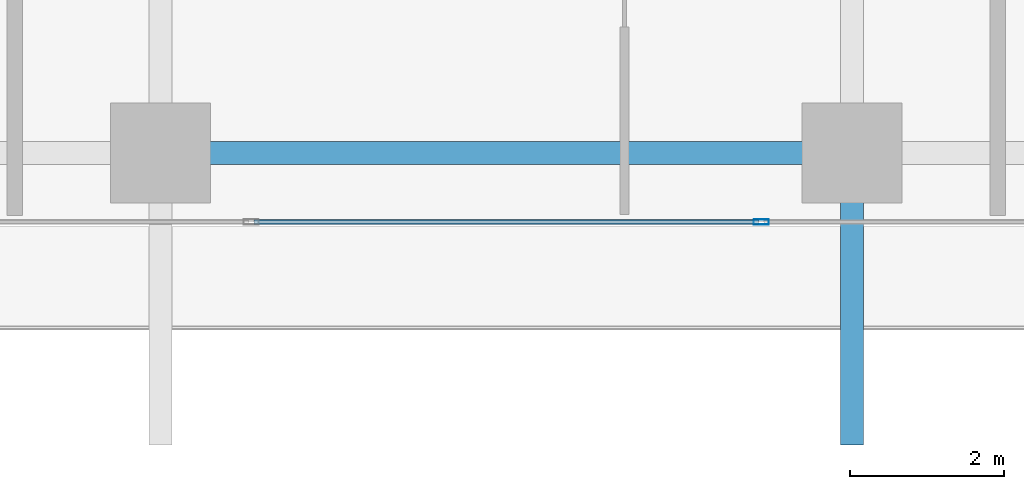
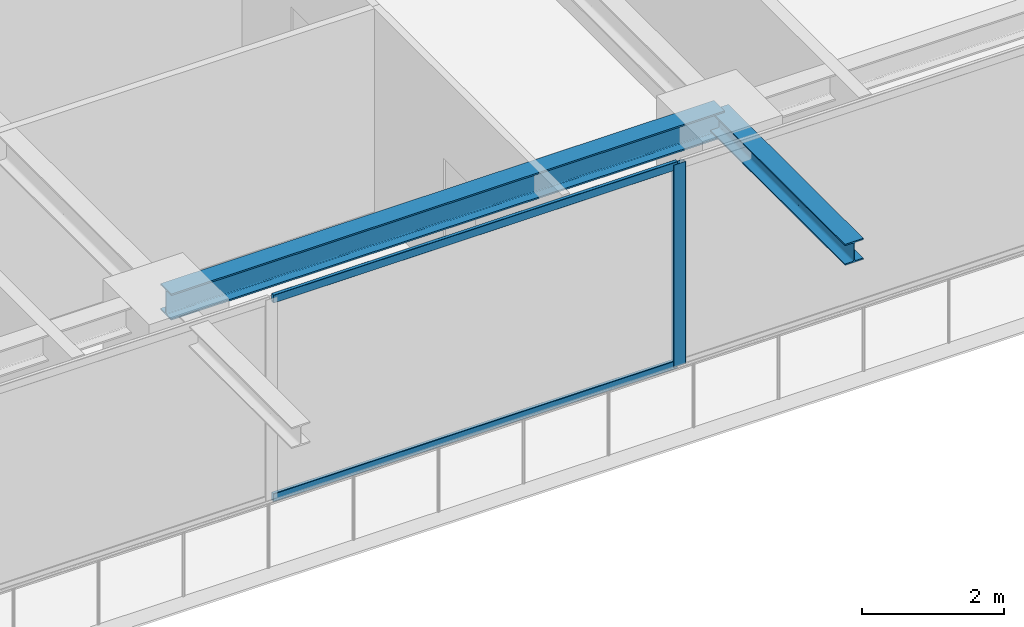
# One storey, part 6 of 37: 3 members, 2 beams, 1 element without a shape of its own.
"""IFC4 building model written with IfcOpenShell, lengths in metres."""

from ifc_helpers import new_model, si_unit, direction, frame, origin, origin_2d, place, context, subcontext, project, spatial, hollow_rectangle, i_section, extrude, source, transform, mapped, material, layer, layer_set, material_profile, profile_set, type_object, element, aggregate, save


model = new_model("IFC4")

# Units and contexts
model_context = context("Model", 3, precision=1e-05, world=origin(), true_north=direction((0.0, 1.0)))
body_context = subcontext(model_context, "Body", "Model", "MODEL_VIEW")
ifc_project = project(units=[si_unit("LENGTHUNIT", "METRE"), si_unit("AREAUNIT", "SQUARE_METRE"), si_unit("VOLUMEUNIT", "CUBIC_METRE"), si_unit("PLANEANGLEUNIT", "RADIAN"), si_unit("MASSUNIT", "GRAM", prefix="KILO")], contexts=[model_context])

# Site, building, storey
site_placement = place(None, origin())
site = spatial("IfcSite", under=ifc_project, at=site_placement, CompositionType="ELEMENT")
building_placement = place(site_placement, origin())
building = spatial("IfcBuilding", under=site, at=building_placement, Name="Serunith Strait Residences", CompositionType="ELEMENT")
storey_placement = place(building_placement, frame((0.0, 0.0, 138.89990234375)))
storey = spatial("IfcBuildingStorey", under=building, at=storey_placement, Name="L34", CompositionType="ELEMENT", Elevation=138.89990234375)

# Beams
ifc_material_1 = material(Name="Steel S355J2", Category="steel")
ifc_material_profile_1 = material_profile(ifc_material_1, i_section(OverallWidth=0.300048828125, OverallDepth=0.449951171875, WebThickness=0.013916015625, FlangeThickness=0.02587890625, FilletRadius=0.027099609375, at=origin_2d()), Name="HEB 450")
ifc_profile_set_1 = profile_set([ifc_material_profile_1], Name="Steel S355J2")
beam_type_1 = type_object("IfcBeamType", Name="BM-HEB450", PredefinedType="BEAM", material=ifc_profile_set_1)
shared_shape_1 = source(origin(), body_context, "Body", "SweptSolid", [
    extrude(i_section(OverallWidth=0.300048828125, OverallDepth=0.449951171875, WebThickness=0.013916015625, FlangeThickness=0.02587890625, FilletRadius=0.027099609375, at=origin_2d()), origin(), (0.0, 0.0, 1.0), 9.0),
])
beam_1_placement = place(storey_placement, frame((27.89990234375, 2.300048828125, 3.26220703125), z_axis=(1.0, 0.0, 0.0), x_axis=(0.0, 1.0, 0.0)))
element("IfcBeam", 1, at=beam_1_placement, inside=storey, type_object=beam_type_1, Name="L34 Perimeter Ring Beam 02", PredefinedType="BEAM", context=body_context, shape_type="MappedRepresentation", body=[
    mapped(shared_shape_1, transform((0.0, 0.0, 0.0), scale=1.0)),
])
ifc_material_profile_2 = material_profile(ifc_material_1, i_section(OverallWidth=0.300048828125, OverallDepth=0.360107421875, WebThickness=0.012451171875, FlangeThickness=0.0224609375, FilletRadius=0.027099609375, at=origin_2d()), Name="HEB 360")
ifc_profile_set_2 = profile_set([ifc_material_profile_2], Name="Steel S355J2")
beam_type_2 = type_object("IfcBeamType", Name="BM-HEB360", PredefinedType="BEAM", material=ifc_profile_set_2)
shared_shape_2 = source(origin(), body_context, "Body", "SweptSolid", [
    extrude(i_section(OverallWidth=0.300048828125, OverallDepth=0.360107421875, WebThickness=0.012451171875, FlangeThickness=0.0224609375, FilletRadius=0.027099609375, at=origin_2d()), origin(), (0.0, 0.0, 1.0), 3.800048828125),
])
beam_2_placement = place(storey_placement, frame((36.89990234375, 2.300048828125, 3.277099609375), z_axis=(0.0, -1.0, 0.0), x_axis=(1.0, 0.0, 0.0)))
element("IfcBeam", 2, at=beam_2_placement, inside=storey, type_object=beam_type_2, Name="L35 Cantilevered Balcony Rib TC-S3", PredefinedType="BEAM", context=body_context, shape_type="MappedRepresentation", body=[
    mapped(shared_shape_2, transform((0.0, 0.0, 0.0), scale=1.0)),
])

# Curtain wall, members
ifc_material_2 = material(Name="Pale-Champagne Anodised Aluminium", Category="aluminium")
ifc_layer = layer(ifc_material_2, 0.199951171875, Name="Pale-Champagne Anodised Aluminium")
ifc_layer_set = layer_set([ifc_layer], Name="Pale-Champagne Anodised Aluminium")
curtain_wall_type = type_object("IfcCurtainWallType", Name="CW-SYS2", PredefinedType="NOTDEFINED", material=ifc_layer_set)
curtain_wall_placement = place(storey_placement, origin())
curtain_wall = element("IfcCurtainWall", 3, at=curtain_wall_placement, inside=storey, type_object=curtain_wall_type, Name="L34 S Unitised Fritted Curtain Wall", PredefinedType="NOTDEFINED")
ifc_material_profile_3 = material_profile(ifc_material_2, hollow_rectangle(XDim=0.070068359375, YDim=0.199951171875, WallThickness=0.00390625, InnerFilletRadius=0.006103515625, OuterFilletRadius=0.010009765625, at=origin_2d()), Name="ALU 200x70x4")
ifc_profile_set_3 = profile_set([ifc_material_profile_3], Name="Pale-Champagne Anodised Aluminium")
member_type_1 = type_object("IfcMemberType", Name="CW-SYS2-MULL", PredefinedType="MULLION", material=ifc_profile_set_3)
shared_shape_3 = source(origin(), body_context, "Body", "SweptSolid", [
    extrude(hollow_rectangle(XDim=0.070068359375, YDim=0.199951171875, WallThickness=0.00390625, InnerFilletRadius=0.006103515625, OuterFilletRadius=0.010009765625, at=origin_2d()), origin(), (0.0, 0.0, 1.0), 3.47509765625),
])
member_1_placement = place(storey_placement, frame((35.719970703125, 1.39990234375, 0.0), z_axis=(0.0, 0.0, 1.0), x_axis=(0.0, 1.0, 0.0)))
member_1 = element("IfcMember", 4, at=member_1_placement, type_object=member_type_1, Name="CW-2 mullion 4", PredefinedType="MULLION", context=body_context, shape_type="MappedRepresentation", body=[
    mapped(shared_shape_3, transform((0.0, 0.0, 0.0), scale=1.0)),
])
ifc_material_profile_4 = material_profile(ifc_material_2, hollow_rectangle(XDim=0.06005859375, YDim=0.139892578125, WallThickness=0.00341796875, InnerFilletRadius=0.00537109375, OuterFilletRadius=0.0087890625, at=origin_2d()), Name="ALU 140x60x3.5")
ifc_profile_set_4 = profile_set([ifc_material_profile_4], Name="Pale-Champagne Anodised Aluminium")
member_type_2 = type_object("IfcMemberType", Name="CW-SYS2-TRAN", PredefinedType="USERDEFINED", material=ifc_profile_set_4)
shared_shape_4 = source(origin(), body_context, "Body", "SweptSolid", [
    extrude(hollow_rectangle(XDim=0.06005859375, YDim=0.139892578125, WallThickness=0.00341796875, InnerFilletRadius=0.00537109375, OuterFilletRadius=0.0087890625, at=origin_2d()), origin(), (0.0, 0.0, 1.0), 6.570068359375),
])
member_2_placement = place(storey_placement, frame((29.114990234375, 1.39990234375, 0.030029296875), z_axis=(1.0, 0.0, 0.0), x_axis=(0.0, 1.0, 0.0)))
member_2 = element("IfcMember", 5, at=member_2_placement, type_object=member_type_2, Name="CW-2 transom 3.1", ObjectType="TRANSOM", PredefinedType="USERDEFINED", context=body_context, shape_type="MappedRepresentation", body=[
    mapped(shared_shape_4, transform((0.0, 0.0, 0.0), scale=1.0)),
])
member_3_placement = place(storey_placement, frame((29.114990234375, 1.39990234375, 3.445068359375), z_axis=(1.0, 0.0, 0.0), x_axis=(0.0, 1.0, 0.0)))
member_3 = element("IfcMember", 6, at=member_3_placement, type_object=member_type_2, Name="CW-2 transom 3.2", ObjectType="TRANSOM", PredefinedType="USERDEFINED", context=body_context, shape_type="MappedRepresentation", body=[
    mapped(shared_shape_4, transform((0.0, 0.0, 0.0), scale=1.0)),
])
aggregate(curtain_wall, [member_1, member_2, member_3])

save(model, "model.ifc")
